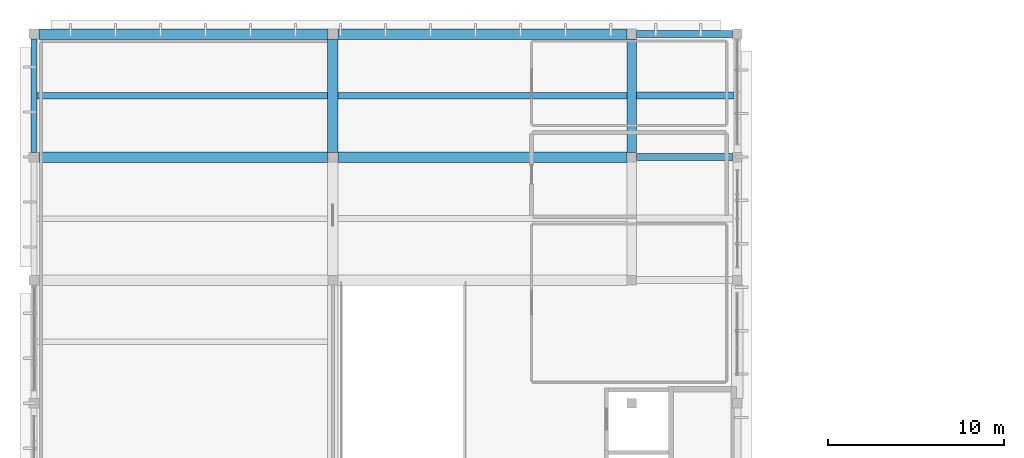
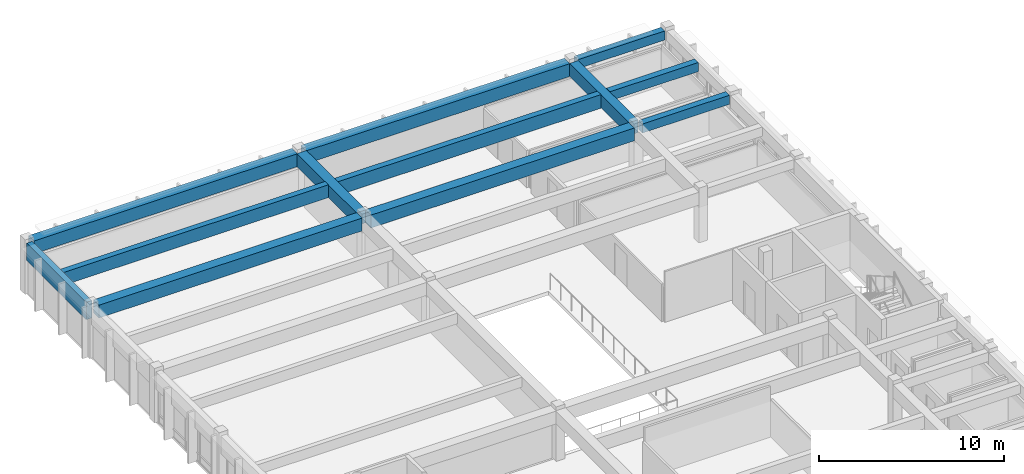
# One storey, part 12 of 23: 12 beams.
"""IFC4 building model written with IfcOpenShell, lengths in metres."""

from ifc_helpers import new_model, si_unit, direction, frame, origin, origin_2d, place, context, subcontext, project, spatial, rectangle, extrude, material, material_profile, profile_set, type_object, element, save


model = new_model("IFC4")

# Units and contexts
model_context = context("Model", 3, precision=1e-05, world=origin(), true_north=direction((0.0, 1.0)))
body_context = subcontext(model_context, "Body", "Model", "MODEL_VIEW")
ifc_project = project(units=[si_unit("LENGTHUNIT", "METRE"), si_unit("AREAUNIT", "SQUARE_METRE"), si_unit("VOLUMEUNIT", "CUBIC_METRE"), si_unit("PLANEANGLEUNIT", "RADIAN"), si_unit("MASSUNIT", "GRAM", prefix="KILO")], contexts=[model_context])

# Site, building, storey
site_placement = place(None, origin())
site = spatial("IfcSite", under=ifc_project, at=site_placement, CompositionType="ELEMENT")
building_placement = place(site_placement, origin())
building = spatial("IfcBuilding", under=site, at=building_placement, Name="Larkveld Mobility Hub", CompositionType="ELEMENT")
storey_placement = place(building_placement, frame((0.0, 0.0, 19.199951171875)))
storey = spatial("IfcBuildingStorey", under=building, at=storey_placement, Name="L05", CompositionType="ELEMENT", Elevation=19.199951171875)

# Beams
ifc_material_1 = material(Name="Precast concrete C50/60", Category="concrete")
ifc_material_profile_1 = material_profile(ifc_material_1, rectangle(XDim=0.360107421875, YDim=0.85009765625, at=origin_2d()), Name="PC DT 360x850")
ifc_profile_set_1 = profile_set([ifc_material_profile_1], Name="Precast concrete C50/60")
beam_type_1 = type_object("IfcBeamType", Name="BM-DT3685", PredefinedType="T_BEAM", material=ifc_profile_set_1)
beam_1_placement = place(storey_placement, frame((112.169921875, 80.5, 2.945068359375), z_axis=(1.0, 0.0, 0.0), x_axis=(0.0, 1.0, 0.0)))
element("IfcBeam", 1, at=beam_1_placement, inside=storey, type_object=beam_type_1, Name="Precast Double-Tee Stem L05-1157", PredefinedType="T_BEAM", context=body_context, shape_type="SweptSolid", body=[
    extrude(rectangle(XDim=0.360107421875, YDim=0.85009765625, at=origin_2d()), origin(), (0.0, 0.0, 1.0), 16.53515625),
])
ifc_material_profile_2 = material_profile(ifc_material_1, rectangle(XDim=0.3798828125, YDim=0.89990234375, at=origin_2d()), Name="PC DT 380x900")
ifc_profile_set_2 = profile_set([ifc_material_profile_2], Name="Precast concrete C50/60")
beam_type_2 = type_object("IfcBeamType", Name="BM-DT3890", PredefinedType="T_BEAM", material=ifc_profile_set_2)
beam_2_placement = place(storey_placement, frame((129.294921875, 80.5, 2.920166015625), z_axis=(1.0, 0.0, 0.0), x_axis=(0.0, 1.0, 0.0)))
element("IfcBeam", 2, at=beam_2_placement, inside=storey, type_object=beam_type_2, Name="Precast Double-Tee Stem L05-1158", PredefinedType="T_BEAM", context=body_context, shape_type="SweptSolid", body=[
    extrude(rectangle(XDim=0.3798828125, YDim=0.89990234375, at=origin_2d()), origin(), (0.0, 0.0, 1.0), 16.43505859375),
])
ifc_material_profile_3 = material_profile(ifc_material_1, rectangle(XDim=0.60009765625, YDim=0.85009765625, at=origin_2d()), Name="PC ITB 600x850")
ifc_profile_set_3 = profile_set([ifc_material_profile_3], Name="Precast concrete C50/60")
beam_type_3 = type_object("IfcBeamType", Name="BM-ITB6085", PredefinedType="T_BEAM", material=ifc_profile_set_3)
for number, where, z_axis, x_axis, name in (
    (3, (112.27490234375, 77.0, 2.93505859375), (1.0, 0.0, 0.0), (0.0, 1.0, 0.0), "Primary E-W Girder L05-0956"),
    (4, (129.27490234375, 77.0, 2.93505859375), (1.0, 0.0, 0.0), (0.0, 1.0, 0.0), "Primary E-W Girder L05-0957"),
    (5, (112.27490234375, 84.0, 2.93505859375), (1.0, 0.0, 0.0), (0.0, 1.0, 0.0), "Primary E-W Girder L05-0959"),
    (6, (129.27490234375, 84.0, 2.93505859375), (1.0, 0.0, 0.0), (0.0, 1.0, 0.0), "Primary E-W Girder L05-0960"),
):
    element("IfcBeam", number, at=place(storey_placement, frame(where, z_axis=z_axis, x_axis=x_axis)), inside=storey, type_object=beam_type_3, Name=name, PredefinedType="T_BEAM", context=body_context, shape_type="SweptSolid", body=[
        extrude(rectangle(XDim=0.60009765625, YDim=0.85009765625, at=origin_2d()), origin(), (0.0, 0.0, 1.0), 16.4501953125),
    ])
beam_3_placement = place(storey_placement, frame((129.0, 77.27490234375, 2.93505859375), z_axis=(0.0, 1.0, 0.0), x_axis=(-1.0, 0.0, 0.0)))
element("IfcBeam", 7, at=beam_3_placement, inside=storey, type_object=beam_type_3, Name="Primary N-S Girder L05-0974", PredefinedType="T_BEAM", context=body_context, shape_type="SweptSolid", body=[
    extrude(rectangle(XDim=0.60009765625, YDim=0.85009765625, at=origin_2d()), origin(), (0.0, 0.0, 1.0), 6.4501953125),
])
ifc_material_2 = material(Name="Concrete C40/50", Category="concrete")
ifc_material_profile_4 = material_profile(ifc_material_2, rectangle(XDim=0.39990234375, YDim=0.60009765625, at=origin_2d()), Name="RC BM 400x600")
ifc_profile_set_4 = profile_set([ifc_material_profile_4], Name="Concrete C40/50")
beam_type_4 = type_object("IfcBeamType", Name="BM-RC4060", PredefinedType="BEAM", material=ifc_profile_set_4)
for number, where, z_axis, x_axis, name in (
    (8, (146.27490234375, 77.0, 3.06005859375), (1.0, 0.0, 0.0), (0.0, 1.0, 0.0), "Primary E-W Girder L05-0958"),
    (9, (146.27490234375, 84.0, 3.06005859375), (1.0, 0.0, 0.0), (0.0, 1.0, 0.0), "Primary E-W Girder L05-0961"),
):
    element("IfcBeam", number, at=place(storey_placement, frame(where, z_axis=z_axis, x_axis=x_axis)), inside=storey, type_object=beam_type_4, Name=name, PredefinedType="BEAM", context=body_context, shape_type="SweptSolid", body=[
        extrude(rectangle(XDim=0.39990234375, YDim=0.60009765625, at=origin_2d()), origin(), (0.0, 0.0, 1.0), 5.4501953125),
    ])
beam_4_placement = place(storey_placement, frame((146.27001953125, 80.5, 3.070068359375), z_axis=(1.0, 0.0, 0.0), x_axis=(0.0, 1.0, 0.0)))
element("IfcBeam", 10, at=beam_4_placement, inside=storey, type_object=beam_type_4, Name="Concourse Spine Joist L05-1159", PredefinedType="BEAM", context=body_context, shape_type="SweptSolid", body=[
    extrude(rectangle(XDim=0.39990234375, YDim=0.60009765625, at=origin_2d()), origin(), (0.0, 0.0, 1.0), 5.534912109375),
])
ifc_material_profile_5 = material_profile(ifc_material_2, rectangle(XDim=0.550048828125, YDim=0.85009765625, at=origin_2d()), Name="RC BM 550x850")
ifc_profile_set_5 = profile_set([ifc_material_profile_5], Name="Concrete C40/50")
beam_type_5 = type_object("IfcBeamType", Name="BM-RC5585", PredefinedType="BEAM", material=ifc_profile_set_5)
beam_5_placement = place(storey_placement, frame((146.0, 77.27490234375, 2.93505859375), z_axis=(0.0, 1.0, 0.0), x_axis=(-1.0, 0.0, 0.0)))
element("IfcBeam", 11, at=beam_5_placement, inside=storey, type_object=beam_type_5, Name="Primary N-S Girder L05-0978", PredefinedType="BEAM", context=body_context, shape_type="SweptSolid", body=[
    extrude(rectangle(XDim=0.550048828125, YDim=0.85009765625, at=origin_2d()), origin(), (0.0, 0.0, 1.0), 6.4501953125),
])
ifc_material_profile_6 = material_profile(ifc_material_1, rectangle(XDim=0.35009765625, YDim=1.14990234375, at=origin_2d()), Name="PC SP 350x1150")
ifc_profile_set_6 = profile_set([ifc_material_profile_6], Name="Precast concrete C50/60")
beam_type_6 = type_object("IfcBeamType", Name="BM-SP35115", PredefinedType="SPANDREL", material=ifc_profile_set_6)
beam_6_placement = place(storey_placement, frame((112.0, 77.27490234375, 2.78515625), z_axis=(0.0, 1.0, 0.0), x_axis=(-1.0, 0.0, 0.0)))
element("IfcBeam", 12, at=beam_6_placement, inside=storey, type_object=beam_type_6, Name="Primary N-S Girder L05-0969", PredefinedType="SPANDREL", context=body_context, shape_type="SweptSolid", body=[
    extrude(rectangle(XDim=0.35009765625, YDim=1.14990234375, at=origin_2d()), origin(), (0.0, 0.0, 1.0), 6.4501953125),
])

save(model, "model.ifc")
